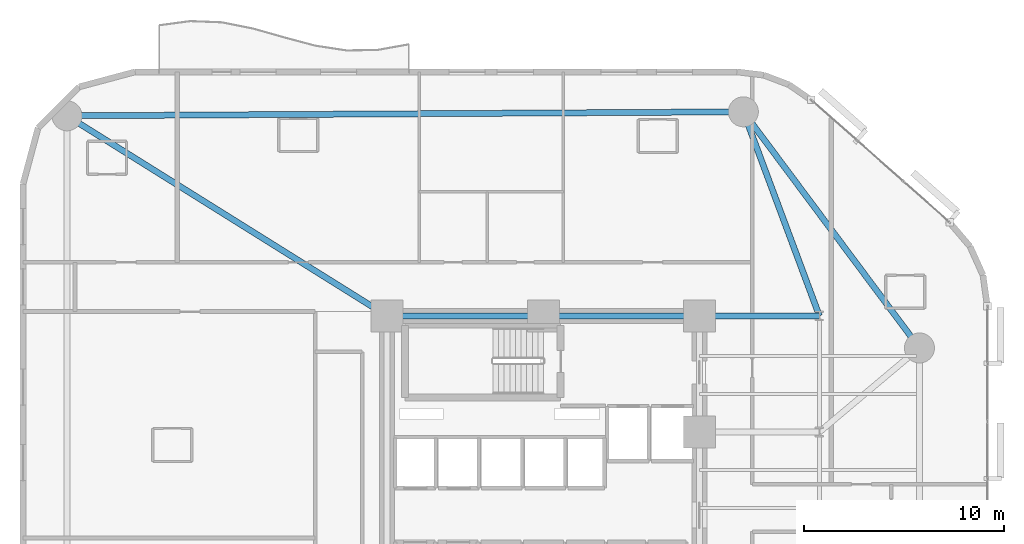
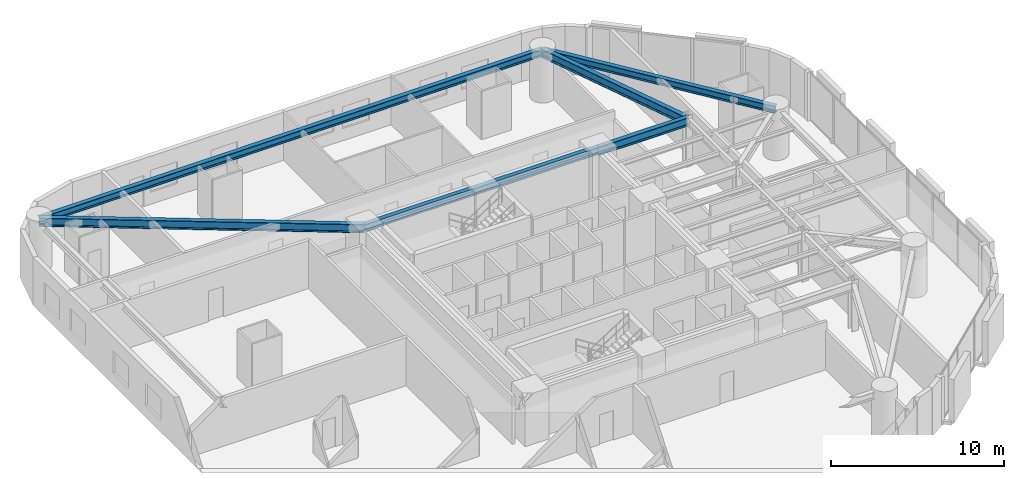
# One storey, part 7 of 16: 6 beams.
"""IFC4 building model written with IfcOpenShell, lengths in metres."""

from ifc_helpers import new_model, si_unit, direction, frame, origin, origin_2d, place, context, subcontext, project, spatial, i_section, extrude, material, material_profile, profile_set, type_object, element, save


model = new_model("IFC4")

# Units and contexts
model_context = context("Model", 3, precision=1e-05, world=origin(), true_north=direction((0.0, 1.0)))
body_context = subcontext(model_context, "Body", "Model", "MODEL_VIEW")
ifc_project = project(units=[si_unit("LENGTHUNIT", "METRE"), si_unit("AREAUNIT", "SQUARE_METRE"), si_unit("VOLUMEUNIT", "CUBIC_METRE"), si_unit("PLANEANGLEUNIT", "RADIAN"), si_unit("MASSUNIT", "GRAM", prefix="KILO")], contexts=[model_context])

# Site, building, storey
site_placement = place(None, origin())
site = spatial("IfcSite", under=ifc_project, at=site_placement, CompositionType="ELEMENT")
building_placement = place(site_placement, origin())
building = spatial("IfcBuilding", under=site, at=building_placement, Name="An Khanh Terracotta Commons", CompositionType="ELEMENT")
storey_placement = place(building_placement, frame((0.0, 0.0, 28.800048828125)))
storey = spatial("IfcBuildingStorey", under=building, at=storey_placement, Name="L07", CompositionType="ELEMENT", Elevation=28.800048828125)

# Beams
ifc_material = material(Name="Steel S355J2", Category="steel")
ifc_material_profile_1 = material_profile(ifc_material, i_section(OverallWidth=0.300048828125, OverallDepth=0.5, WebThickness=0.014404296875, FlangeThickness=0.028076171875, FilletRadius=0.027099609375, at=origin_2d()), Name="HEB500")
ifc_profile_set_1 = profile_set([ifc_material_profile_1], Name="Steel S355J2")
beam_type_1 = type_object("IfcBeamType", Name="BM-HEB500", PredefinedType="BEAM", material=ifc_profile_set_1)
beam_1_placement = place(storey_placement, frame((21.60009765625, 33.60009765625, 3.14990234375), z_axis=(1.0, 0.0, 0.0), x_axis=(0.0, 1.0, 0.0)))
element("IfcBeam", 1, at=beam_1_placement, inside=storey, type_object=beam_type_1, Name="L07 Core North Coupling Girder", PredefinedType="BEAM", context=body_context, shape_type="SweptSolid", body=[
    extrude(i_section(OverallWidth=0.300048828125, OverallDepth=0.5, WebThickness=0.014404296875, FlangeThickness=0.028076171875, FilletRadius=0.027099609375, at=origin_2d()), origin(), (0.0, 0.0, 1.0), 15.599853515625),
])
beam_2_placement = place(storey_placement, frame((48.199951171875, 32.0, 3.14990234375), z_axis=(-0.59782442166, 0.801627070942, 0.0), x_axis=(-0.801627070942, -0.59782442166, 0.0)))
element("IfcBeam", 2, at=beam_2_placement, inside=storey, type_object=beam_type_1, Name="L07 Perimeter Ring Spandrel 4", PredefinedType="BEAM", context=body_context, shape_type="SweptSolid", body=[
    extrude(i_section(OverallWidth=0.300048828125, OverallDepth=0.5, WebThickness=0.014404296875, FlangeThickness=0.028076171875, FilletRadius=0.027099609375, at=origin_2d()), origin(), (0.0, 0.0, 1.0), 14.72021484375),
])
beam_3_placement = place(storey_placement, frame((39.39990234375, 43.800048828125, 3.14990234375), z_axis=(-0.999982502414, -0.005915645817, 0.0), x_axis=(0.005915645817, -0.999982502414, 0.0)))
element("IfcBeam", 3, at=beam_3_placement, inside=storey, type_object=beam_type_1, Name="L07 Perimeter Ring Spandrel 5", PredefinedType="BEAM", context=body_context, shape_type="SweptSolid", body=[
    extrude(i_section(OverallWidth=0.300048828125, OverallDepth=0.5, WebThickness=0.014404296875, FlangeThickness=0.028076171875, FilletRadius=0.027099609375, at=origin_2d()), origin(), (0.0, 0.0, 1.0), 33.80029296875),
])
ifc_material_profile_2 = material_profile(ifc_material, i_section(OverallWidth=0.300048828125, OverallDepth=0.60009765625, WebThickness=0.015380859375, FlangeThickness=0.030029296875, FilletRadius=0.027099609375, at=origin_2d()), Name="HEB600")
ifc_profile_set_2 = profile_set([ifc_material_profile_2], Name="Steel S355J2")
beam_type_2 = type_object("IfcBeamType", Name="BM-HEB600", PredefinedType="BEAM", material=ifc_profile_set_2)
beam_4_placement = place(storey_placement, frame((37.199951171875, 33.60009765625, 3.099853515625), z_axis=(1.0, 0.0, 0.0), x_axis=(0.0, 1.0, 0.0)))
element("IfcBeam", 4, at=beam_4_placement, inside=storey, type_object=beam_type_2, Name="L07 East Primary Floor Girder 4", PredefinedType="BEAM", context=body_context, shape_type="SweptSolid", body=[
    extrude(i_section(OverallWidth=0.300048828125, OverallDepth=0.60009765625, WebThickness=0.015380859375, FlangeThickness=0.030029296875, FilletRadius=0.027099609375, at=origin_2d()), origin(), (0.0, 0.0, 1.0), 6.0),
])
beam_5_placement = place(storey_placement, frame((39.39990234375, 43.800048828125, 3.099853515625), z_axis=(0.349114429862, -0.937080100558, 0.0), x_axis=(0.937080100558, 0.349114429862, 0.0)))
element("IfcBeam", 5, at=beam_5_placement, inside=storey, type_object=beam_type_2, Name="L07 Mega-Column Tie Girder 5", PredefinedType="BEAM", context=body_context, shape_type="SweptSolid", body=[
    extrude(i_section(OverallWidth=0.300048828125, OverallDepth=0.60009765625, WebThickness=0.015380859375, FlangeThickness=0.030029296875, FilletRadius=0.027099609375, at=origin_2d()), origin(), (0.0, 0.0, 1.0), 10.884765625),
])
beam_6_placement = place(storey_placement, frame((5.60009765625, 43.60009765625, 3.099853515625), z_axis=(0.847998304005, -0.529998940003, 0.0), x_axis=(0.529998940003, 0.847998304005, 0.0)))
element("IfcBeam", 6, at=beam_6_placement, inside=storey, type_object=beam_type_2, Name="L07 Mega-Column Tie Girder 6", PredefinedType="BEAM", context=body_context, shape_type="SweptSolid", body=[
    extrude(i_section(OverallWidth=0.300048828125, OverallDepth=0.60009765625, WebThickness=0.015380859375, FlangeThickness=0.030029296875, FilletRadius=0.027099609375, at=origin_2d()), origin(), (0.0, 0.0, 1.0), 18.867919921875),
])

save(model, "model.ifc")
